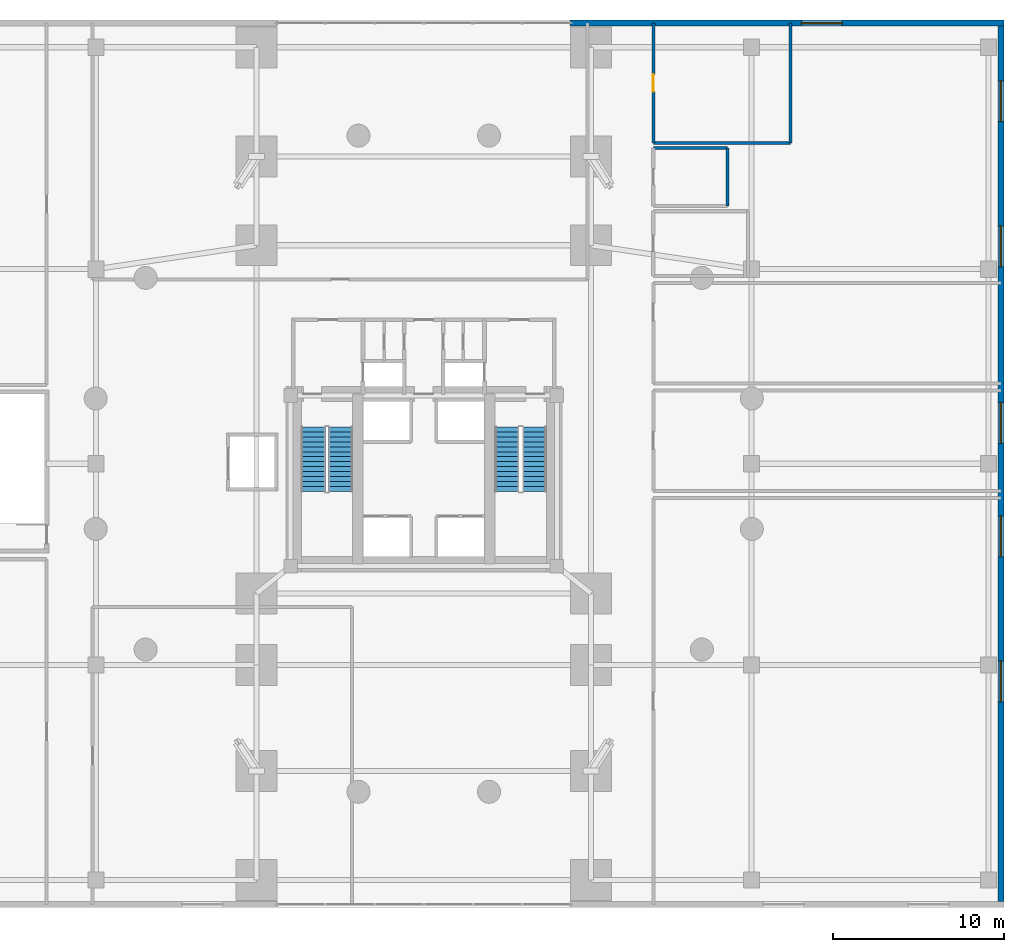
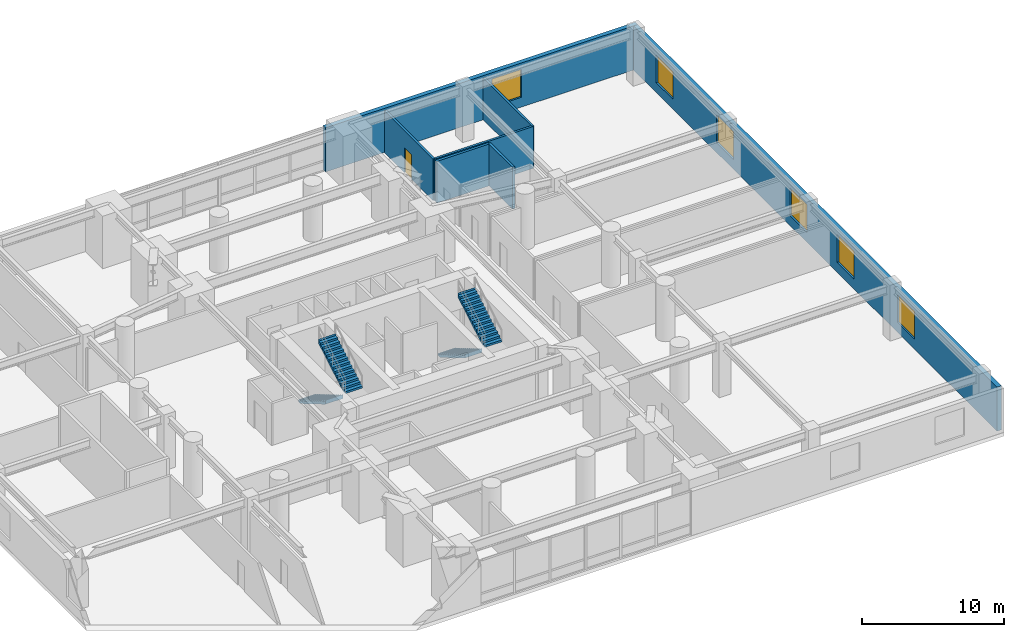
# One storey, part 16 of 17: 7 walls, 6 windows, 4 stair flights, 1 door, 7 openings, 2 elements without a shape of their own.
"""IFC4 building model written with IfcOpenShell, lengths in metres."""

from ifc_helpers import new_model, si_unit, direction, frame, frame_2d, origin, place, context, subcontext, project, spatial, polyline, rectangle, outline, extrude, material, layer, layer_set, type_object, element, fill, aggregate, save


model = new_model("IFC4")

# Units and contexts
model_context = context("Model", 3, precision=1e-05, world=origin(), true_north=direction((0.0, 1.0)))
body_context = subcontext(model_context, "Body", "Model", "MODEL_VIEW")
ifc_project = project(units=[si_unit("LENGTHUNIT", "METRE"), si_unit("AREAUNIT", "SQUARE_METRE"), si_unit("VOLUMEUNIT", "CUBIC_METRE"), si_unit("PLANEANGLEUNIT", "RADIAN"), si_unit("MASSUNIT", "GRAM", prefix="KILO"), si_unit("THERMODYNAMICTEMPERATUREUNIT", "KELVIN"), si_unit("POWERUNIT", "WATT")], contexts=[model_context])

# Site, building, storey
site_placement = place(None, origin())
site = spatial("IfcSite", under=ifc_project, at=site_placement, CompositionType="ELEMENT")
building_placement = place(site_placement, origin())
building = spatial("IfcBuilding", under=site, at=building_placement, Name="Ocrelia Relay Tower", CompositionType="ELEMENT")
storey_placement = place(building_placement, frame((0.0, 0.0, 25.199951171875)))
storey = spatial("IfcBuildingStorey", under=building, at=storey_placement, Name="L05", CompositionType="ELEMENT", Elevation=25.199951171875)

# Wall, opening, door
ifc_material_1 = material(Name="Gypsum Fireboard Partition EI60", Category="gypsum")
ifc_layer_1 = layer(ifc_material_1, 0.179931640625, Name="Gypsum Fireboard Partition EI60")
ifc_layer_set_1 = layer_set([ifc_layer_1], Name="Gypsum Fireboard Partition EI60")
wall_type_1 = type_object("IfcWallType", Name="W-CORR-EI60-180", PredefinedType="PARTITIONING", material=ifc_layer_set_1)
wall_1_placement = place(storey_placement, frame((47.449951171875, 51.820068359375, 0.0), z_axis=(0.0, 0.0, 1.0), x_axis=(0.0, -1.0, 0.0)))
wall_1 = element("IfcWall", 1, at=wall_1_placement, inside=storey, type_object=wall_type_1, Name="L05 Client Break Study W Partition", PredefinedType="PARTITIONING", context=body_context, shape_type="SweptSolid", body=[
    extrude(rectangle(XDim=7.02001953125, YDim=0.179931640625, at=frame_2d((3.510009765625, 0.0))), origin(), (0.0, 0.0, 1.0), 3.60009765625),
])
opening_1_placement = place(wall_1_placement, frame((3.010009765625, 0.0, 0.0)))
opening_1 = element("IfcOpeningElement", 2, at=opening_1_placement, cuts=wall_1, Name="Opening D-RM100", PredefinedType="OPENING", context=body_context, shape_type="SweptSolid", body=[
    extrude(rectangle(XDim=1.0, YDim=2.14990234375, at=frame_2d((0.5, 1.074951171875))), frame((0.0, 0.10009765625, 0.0), z_axis=(0.0, -1.0, 0.0), x_axis=(1.0, 0.0, 0.0)), (0.0, 0.0, 1.0), 0.199951171875),
])
ifc_material_2 = material(Name="Acoustic oak veneer fire door", Category="wood")
door_type = type_object("IfcDoorType", Name="DR-ROOM-FD60-1000", OperationType="NOTDEFINED", PredefinedType="DOOR", material=ifc_material_2)
door_placement = place(opening_1_placement, origin())
door = element("IfcDoor", 3, at=door_placement, inside=storey, type_object=door_type, Name="L05 Client Break Study Door", OperationType="SINGLE_SWING_LEFT", OverallHeight=2.14990234375, OverallWidth=1.0, PredefinedType="DOOR", context=body_context, shape_type="SweptSolid", body=[
    extrude(rectangle(XDim=1.0, YDim=2.14990234375, at=frame_2d((0.5, 1.074951171875))), frame((0.0, 0.02490234375, 0.0), z_axis=(0.0, -1.0, 0.0), x_axis=(1.0, 0.0, 0.0)), (0.0, 0.0, 1.0), 0.050048828125),
])
fill(opening_1, door)

# Walls
wall_2_placement = place(storey_placement, frame((47.449951171875, 44.800048828125, 0.0), z_axis=(0.0, 0.0, 1.0), x_axis=(1.0, 0.0, 0.0)))
element("IfcWall", 4, at=wall_2_placement, inside=storey, type_object=wall_type_1, Name="L05 Client Break Study S Partition", PredefinedType="PARTITIONING", context=body_context, shape_type="SweptSolid", body=[
    extrude(rectangle(XDim=8.050048828125, YDim=0.179931640625, at=frame_2d((4.02490234375, 0.0))), origin(), (0.0, 0.0, 1.0), 3.60009765625),
])
wall_3_placement = place(storey_placement, frame((55.5, 44.800048828125, 0.0), z_axis=(0.0, 0.0, 1.0), x_axis=(0.0, 1.0, 0.0)))
element("IfcWall", 5, at=wall_3_placement, inside=storey, type_object=wall_type_1, Name="L05 Client Break Study E Partition", PredefinedType="PARTITIONING", context=body_context, shape_type="SweptSolid", body=[
    extrude(rectangle(XDim=7.02001953125, YDim=0.179931640625, at=frame_2d((3.510009765625, 0.0))), origin(), (0.0, 0.0, 1.0), 3.60009765625),
])

# Wall, openings, windows
ifc_material_3 = material(Name="Precast concrete C40/50 with oxide terracotta", Category="masonry")
ifc_layer_2 = layer(ifc_material_3, 0.35009765625, Name="Precast concrete C40/50 with oxide terracotta")
ifc_layer_set_2 = layer_set([ifc_layer_2], Name="Precast concrete C40/50 with oxide terracotta")
wall_type_2 = type_object("IfcWallType", Name="W-EXT-POD-350", PredefinedType="SOLIDWALL", material=ifc_layer_set_2)
wall_4_placement = place(storey_placement, frame((67.820068359375, 51.639892578125, 0.0), z_axis=(0.0, 0.0, 1.0), x_axis=(0.0, -1.0, 0.0)))
wall_4 = element("IfcWall", 6, at=wall_4_placement, inside=storey, type_object=wall_type_2, Name="L05 Oxide Terracotta Podium Wall EE", PredefinedType="SOLIDWALL", context=body_context, shape_type="SweptSolid", body=[
    extrude(rectangle(XDim=51.27978515625, YDim=0.35009765625, at=frame_2d((25.639892578125, 0.0))), origin(), (0.0, 0.0, 1.0), 3.800048828125),
])
opening_2_placement = place(wall_4_placement, frame((3.199951171875, 0.0, 0.85009765625)))
opening_2 = element("IfcOpeningElement", 7, at=opening_2_placement, cuts=wall_4, Name="Opening W-01", PredefinedType="OPENING", context=body_context, shape_type="SweptSolid", body=[
    extrude(rectangle(XDim=2.39990234375, YDim=2.39990234375, at=frame_2d((1.199951171875, 1.199951171875))), frame((0.0, 0.18505859375, 0.0), z_axis=(0.0, -1.0, 0.0), x_axis=(1.0, 0.0, 0.0)), (0.0, 0.0, 1.0), 0.3701171875),
])
opening_3_placement = place(wall_4_placement, frame((11.699951171875, 0.0, 0.85009765625)))
opening_3 = element("IfcOpeningElement", 8, at=opening_3_placement, cuts=wall_4, Name="Opening W-01", PredefinedType="OPENING", context=body_context, shape_type="SweptSolid", body=[
    extrude(rectangle(XDim=2.39990234375, YDim=2.39990234375, at=frame_2d((1.199951171875, 1.199951171875))), frame((0.0, 0.18505859375, 0.0), z_axis=(0.0, -1.0, 0.0), x_axis=(1.0, 0.0, 0.0)), (0.0, 0.0, 1.0), 0.3701171875),
])
opening_4_placement = place(wall_4_placement, frame((22.050048828125, 0.0, 0.85009765625)))
opening_4 = element("IfcOpeningElement", 9, at=opening_4_placement, cuts=wall_4, Name="Opening W-01", PredefinedType="OPENING", context=body_context, shape_type="SweptSolid", body=[
    extrude(rectangle(XDim=2.39990234375, YDim=2.39990234375, at=frame_2d((1.199951171875, 1.199951171875))), frame((0.0, 0.18505859375, 0.0), z_axis=(0.0, -1.0, 0.0), x_axis=(1.0, 0.0, 0.0)), (0.0, 0.0, 1.0), 0.3701171875),
])
opening_5_placement = place(wall_4_placement, frame((28.699951171875, 0.0, 0.85009765625)))
opening_5 = element("IfcOpeningElement", 10, at=opening_5_placement, cuts=wall_4, Name="Opening W-01", PredefinedType="OPENING", context=body_context, shape_type="SweptSolid", body=[
    extrude(rectangle(XDim=2.39990234375, YDim=2.39990234375, at=frame_2d((1.199951171875, 1.199951171875))), frame((0.0, 0.18505859375, 0.0), z_axis=(0.0, -1.0, 0.0), x_axis=(1.0, 0.0, 0.0)), (0.0, 0.0, 1.0), 0.3701171875),
])
opening_6_placement = place(wall_4_placement, frame((37.199951171875, 0.0, 0.85009765625)))
opening_6 = element("IfcOpeningElement", 11, at=opening_6_placement, cuts=wall_4, Name="Opening W-01", PredefinedType="OPENING", context=body_context, shape_type="SweptSolid", body=[
    extrude(rectangle(XDim=2.39990234375, YDim=2.39990234375, at=frame_2d((1.199951171875, 1.199951171875))), frame((0.0, 0.18505859375, 0.0), z_axis=(0.0, -1.0, 0.0), x_axis=(1.0, 0.0, 0.0)), (0.0, 0.0, 1.0), 0.3701171875),
])
ifc_material_4 = material(Name="Clear double-glazed low-E glass", Category="glass")
window_type = type_object("IfcWindowType", Name="WIN-POD-2400x2600", PartitioningType="SINGLE_PANEL", PredefinedType="WINDOW", material=ifc_material_4)
window_1_placement = place(opening_2_placement, origin())
window_1 = element("IfcWindow", 12, at=window_1_placement, inside=storey, type_object=window_type, Name="L05 Podium Punched Window EE-1", OverallHeight=2.39990234375, OverallWidth=2.39990234375, PartitioningType="SINGLE_PANEL", PredefinedType="WINDOW", context=body_context, shape_type="SweptSolid", body=[
    extrude(rectangle(XDim=2.39990234375, YDim=2.39990234375, at=frame_2d((1.199951171875, 1.199951171875))), frame((0.0, 0.030029296875, 0.0), z_axis=(0.0, -1.0, 0.0), x_axis=(1.0, 0.0, 0.0)), (0.0, 0.0, 1.0), 0.06005859375),
])
fill(opening_2, window_1)
window_2_placement = place(opening_3_placement, origin())
window_2 = element("IfcWindow", 13, at=window_2_placement, inside=storey, type_object=window_type, Name="L05 Podium Punched Window EE-2", OverallHeight=2.39990234375, OverallWidth=2.39990234375, PartitioningType="SINGLE_PANEL", PredefinedType="WINDOW", context=body_context, shape_type="SweptSolid", body=[
    extrude(rectangle(XDim=2.39990234375, YDim=2.39990234375, at=frame_2d((1.199951171875, 1.199951171875))), frame((0.0, 0.030029296875, 0.0), z_axis=(0.0, -1.0, 0.0), x_axis=(1.0, 0.0, 0.0)), (0.0, 0.0, 1.0), 0.06005859375),
])
fill(opening_3, window_2)
window_3_placement = place(opening_4_placement, origin())
window_3 = element("IfcWindow", 14, at=window_3_placement, inside=storey, type_object=window_type, Name="L05 Podium Punched Window EE-3", OverallHeight=2.39990234375, OverallWidth=2.39990234375, PartitioningType="SINGLE_PANEL", PredefinedType="WINDOW", context=body_context, shape_type="SweptSolid", body=[
    extrude(rectangle(XDim=2.39990234375, YDim=2.39990234375, at=frame_2d((1.199951171875, 1.199951171875))), frame((0.0, 0.030029296875, 0.0), z_axis=(0.0, -1.0, 0.0), x_axis=(1.0, 0.0, 0.0)), (0.0, 0.0, 1.0), 0.06005859375),
])
fill(opening_4, window_3)
window_4_placement = place(opening_5_placement, origin())
window_4 = element("IfcWindow", 15, at=window_4_placement, inside=storey, type_object=window_type, Name="L05 Podium Punched Window EE-4", OverallHeight=2.39990234375, OverallWidth=2.39990234375, PartitioningType="SINGLE_PANEL", PredefinedType="WINDOW", context=body_context, shape_type="SweptSolid", body=[
    extrude(rectangle(XDim=2.39990234375, YDim=2.39990234375, at=frame_2d((1.199951171875, 1.199951171875))), frame((0.0, 0.030029296875, 0.0), z_axis=(0.0, -1.0, 0.0), x_axis=(1.0, 0.0, 0.0)), (0.0, 0.0, 1.0), 0.06005859375),
])
fill(opening_5, window_4)
window_5_placement = place(opening_6_placement, origin())
window_5 = element("IfcWindow", 16, at=window_5_placement, inside=storey, type_object=window_type, Name="L05 Podium Punched Window EE-5", OverallHeight=2.39990234375, OverallWidth=2.39990234375, PartitioningType="SINGLE_PANEL", PredefinedType="WINDOW", context=body_context, shape_type="SweptSolid", body=[
    extrude(rectangle(XDim=2.39990234375, YDim=2.39990234375, at=frame_2d((1.199951171875, 1.199951171875))), frame((0.0, 0.030029296875, 0.0), z_axis=(0.0, -1.0, 0.0), x_axis=(1.0, 0.0, 0.0)), (0.0, 0.0, 1.0), 0.06005859375),
])
fill(opening_6, window_5)

# Wall, opening, window
wall_5_placement = place(storey_placement, frame((42.570068359375, 51.820068359375, 0.0), z_axis=(0.0, 0.0, 1.0), x_axis=(1.0, 0.0, 0.0)))
wall_5 = element("IfcWall", 17, at=wall_5_placement, inside=storey, type_object=wall_type_2, Name="L05 Oxide Terracotta Podium Wall EN", PredefinedType="SOLIDWALL", context=body_context, shape_type="SweptSolid", body=[
    extrude(rectangle(XDim=25.419921875, YDim=0.35009765625, at=frame_2d((12.7099609375, 0.0))), origin(), (0.0, 0.0, 1.0), 3.800048828125),
])
opening_7_placement = place(wall_5_placement, frame((13.550048828125, 0.0, 0.85009765625)))
opening_7 = element("IfcOpeningElement", 18, at=opening_7_placement, cuts=wall_5, Name="Opening W-01", PredefinedType="OPENING", context=body_context, shape_type="SweptSolid", body=[
    extrude(rectangle(XDim=2.39990234375, YDim=2.39990234375, at=frame_2d((1.199951171875, 1.199951171875))), frame((0.0, 0.18505859375, 0.0), z_axis=(0.0, -1.0, 0.0), x_axis=(1.0, 0.0, 0.0)), (0.0, 0.0, 1.0), 0.3701171875),
])
window_6_placement = place(opening_7_placement, origin())
window_6 = element("IfcWindow", 19, at=window_6_placement, inside=storey, type_object=window_type, Name="L05 Podium Punched Window EN-2", OverallHeight=2.39990234375, OverallWidth=2.39990234375, PartitioningType="SINGLE_PANEL", PredefinedType="WINDOW", context=body_context, shape_type="SweptSolid", body=[
    extrude(rectangle(XDim=2.39990234375, YDim=2.39990234375, at=frame_2d((1.199951171875, 1.199951171875))), frame((0.0, 0.030029296875, 0.0), z_axis=(0.0, -1.0, 0.0), x_axis=(1.0, 0.0, 0.0)), (0.0, 0.0, 1.0), 0.06005859375),
])
fill(opening_7, window_6)

# Walls
ifc_material_5 = material(Name="Moisture-Resistant Fireboard Chase Wall EI60", Category="gypsum")
ifc_layer_3 = layer(ifc_material_5, 0.199951171875, Name="Moisture-Resistant Fireboard Chase Wall EI60")
ifc_layer_set_3 = layer_set([ifc_layer_3], Name="Moisture-Resistant Fireboard Chase Wall EI60")
wall_type_3 = type_object("IfcWallType", Name="W-PLUMB-200", PredefinedType="PLUMBINGWALL", material=ifc_layer_set_3)
wall_6_placement = place(storey_placement, frame((51.800048828125, 41.10009765625, 0.0), z_axis=(0.0, 0.0, 1.0), x_axis=(0.0, 1.0, 0.0)))
element("IfcWall", 20, at=wall_6_placement, inside=storey, type_object=wall_type_3, Name="L05 Accessible Toilet E Partition", PredefinedType="PLUMBINGWALL", context=body_context, shape_type="SweptSolid", body=[
    extrude(rectangle(XDim=3.39990234375, YDim=0.199951171875, at=frame_2d((1.699951171875, 0.0))), origin(), (0.0, 0.0, 1.0), 3.60009765625),
])
wall_7_placement = place(storey_placement, frame((51.800048828125, 44.5, 0.0), z_axis=(0.0, 0.0, 1.0), x_axis=(-1.0, 0.0, 0.0)))
element("IfcWall", 21, at=wall_7_placement, inside=storey, type_object=wall_type_3, Name="L05 Accessible Toilet N Partition", PredefinedType="PLUMBINGWALL", context=body_context, shape_type="SweptSolid", body=[
    extrude(rectangle(XDim=4.35009765625, YDim=0.199951171875, at=frame_2d((2.175048828125, 0.0))), origin(), (0.0, 0.0, 1.0), 3.60009765625),
])

# Stair, stair flights
ifc_material_6 = material(Name="Concrete C50/60", Category="concrete")
stair_type = type_object("IfcStairType", Name="ST-DL-1420-R171", PredefinedType="HALF_TURN_STAIR", material=ifc_material_6)
stair_1_placement = place(storey_placement, origin())
stair_1 = element("IfcStair", 22, at=stair_1_placement, inside=storey, type_object=stair_type, Name="L05 West Core Exit Stair ST1", PredefinedType="HALF_TURN_STAIR")
stair_flight_type = type_object("IfcStairFlightType", Name="STF-DL-1420-R171", PredefinedType="STRAIGHT", material=ifc_material_6)
stair_flight_1_placement = place(storey_placement, frame((27.52001953125, 28.14990234375, 0.0), z_axis=(0.0, 0.0, 1.0), x_axis=(0.0, -1.0, 0.0)))
stair_flight_1 = element("IfcStairFlight", 23, at=stair_flight_1_placement, type_object=stair_flight_type, Name="ST1 flight 1", NumberOfRisers=14, NumberOfTreads=13, PredefinedType="STRAIGHT", RiserHeight=0.171428571, TreadLength=0.29, context=body_context, shape_type="SweptSolid", body=[
    extrude(outline(polyline([(-0.008056640625, 0.0), (-0.008056640625, 0.17138671875), (0.0, 0.17138671875), (0.2900390625, 0.17138671875), (0.2900390625, 0.3427734375), (0.580078125, 0.3427734375), (0.580078125, 0.514404296875), (0.8701171875, 0.514404296875), (0.8701171875, 0.685791015625), (1.159912109375, 0.685791015625), (1.159912109375, 0.857177734375), (1.449951171875, 0.857177734375), (1.449951171875, 1.028564453125), (1.739990234375, 1.028564453125), (1.739990234375, 1.199951171875), (2.030029296875, 1.199951171875), (2.030029296875, 1.371337890625), (2.320068359375, 1.371337890625), (2.320068359375, 1.54296875), (2.610107421875, 1.54296875), (2.610107421875, 1.71435546875), (2.89990234375, 1.71435546875), (2.89990234375, 1.8857421875), (3.18994140625, 1.8857421875), (3.18994140625, 2.05712890625), (3.47998046875, 2.05712890625), (3.47998046875, 2.228515625), (3.77001953125, 2.228515625), (3.77001953125, 2.39990234375), (3.778076171875, 2.39990234375), (3.778076171875, 2.054443359375), (0.294677734375, 0.0), (-0.008056640625, 0.0)])), frame((0.0, 0.7099609375, 0.0), z_axis=(0.0, -1.0, 0.0), x_axis=(1.0, 0.0, 0.0)), (0.0, 0.0, 1.0), 1.419921875),
])
stair_flight_2_placement = place(storey_placement, frame((29.139892578125, 24.3798828125, 2.400146484375), z_axis=(0.0, 0.0, 1.0), x_axis=(0.0, 1.0, 0.0)))
stair_flight_2 = element("IfcStairFlight", 24, at=stair_flight_2_placement, type_object=stair_flight_type, Name="ST1 flight 2", NumberOfRisers=14, NumberOfTreads=13, PredefinedType="STRAIGHT", RiserHeight=0.171428571, TreadLength=0.29, context=body_context, shape_type="SweptSolid", body=[
    extrude(outline(polyline([(-0.008056640625, 0.0), (-0.008056640625, 0.17138671875), (0.0, 0.17138671875), (0.2900390625, 0.17138671875), (0.2900390625, 0.3427734375), (0.580078125, 0.3427734375), (0.580078125, 0.514404296875), (0.8701171875, 0.514404296875), (0.8701171875, 0.685791015625), (1.159912109375, 0.685791015625), (1.159912109375, 0.857177734375), (1.449951171875, 0.857177734375), (1.449951171875, 1.028564453125), (1.739990234375, 1.028564453125), (1.739990234375, 1.199951171875), (2.030029296875, 1.199951171875), (2.030029296875, 1.371337890625), (2.320068359375, 1.371337890625), (2.320068359375, 1.54296875), (2.610107421875, 1.54296875), (2.610107421875, 1.71435546875), (2.89990234375, 1.71435546875), (2.89990234375, 1.8857421875), (3.18994140625, 1.8857421875), (3.18994140625, 2.05712890625), (3.47998046875, 2.05712890625), (3.47998046875, 2.228515625), (3.77001953125, 2.228515625), (3.77001953125, 2.39990234375), (3.778076171875, 2.39990234375), (3.778076171875, 2.054443359375), (0.294677734375, 0.0), (-0.008056640625, 0.0)])), frame((0.0, 0.7099609375, 0.0), z_axis=(0.0, -1.0, 0.0), x_axis=(1.0, 0.0, 0.0)), (0.0, 0.0, 1.0), 1.419921875),
])
aggregate(stair_1, [stair_flight_1, stair_flight_2])

stair_2_placement = place(storey_placement, origin())
stair_2 = element("IfcStair", 25, at=stair_2_placement, inside=storey, type_object=stair_type, Name="L05 East Core Exit Stair ST2", PredefinedType="HALF_TURN_STAIR")
stair_flight_3_placement = place(storey_placement, frame((38.8701171875, 28.14990234375, 0.0), z_axis=(0.0, 0.0, 1.0), x_axis=(0.0, -1.0, 0.0)))
stair_flight_3 = element("IfcStairFlight", 26, at=stair_flight_3_placement, type_object=stair_flight_type, Name="ST2 flight 1", NumberOfRisers=14, NumberOfTreads=13, PredefinedType="STRAIGHT", RiserHeight=0.171428571, TreadLength=0.29, context=body_context, shape_type="SweptSolid", body=[
    extrude(outline(polyline([(-0.008056640625, 0.0), (-0.008056640625, 0.17138671875), (0.0, 0.17138671875), (0.2900390625, 0.17138671875), (0.2900390625, 0.3427734375), (0.580078125, 0.3427734375), (0.580078125, 0.514404296875), (0.8701171875, 0.514404296875), (0.8701171875, 0.685791015625), (1.159912109375, 0.685791015625), (1.159912109375, 0.857177734375), (1.449951171875, 0.857177734375), (1.449951171875, 1.028564453125), (1.739990234375, 1.028564453125), (1.739990234375, 1.199951171875), (2.030029296875, 1.199951171875), (2.030029296875, 1.371337890625), (2.320068359375, 1.371337890625), (2.320068359375, 1.54296875), (2.610107421875, 1.54296875), (2.610107421875, 1.71435546875), (2.89990234375, 1.71435546875), (2.89990234375, 1.8857421875), (3.18994140625, 1.8857421875), (3.18994140625, 2.05712890625), (3.47998046875, 2.05712890625), (3.47998046875, 2.228515625), (3.77001953125, 2.228515625), (3.77001953125, 2.39990234375), (3.778076171875, 2.39990234375), (3.778076171875, 2.054443359375), (0.294677734375, 0.0), (-0.008056640625, 0.0)])), frame((0.0, 0.7099609375, 0.0), z_axis=(0.0, -1.0, 0.0), x_axis=(1.0, 0.0, 0.0)), (0.0, 0.0, 1.0), 1.419921875),
])
stair_flight_4_placement = place(storey_placement, frame((40.489990234375, 24.3798828125, 2.400146484375), z_axis=(0.0, 0.0, 1.0), x_axis=(0.0, 1.0, 0.0)))
stair_flight_4 = element("IfcStairFlight", 27, at=stair_flight_4_placement, type_object=stair_flight_type, Name="ST2 flight 2", NumberOfRisers=14, NumberOfTreads=13, PredefinedType="STRAIGHT", RiserHeight=0.171428571, TreadLength=0.29, context=body_context, shape_type="SweptSolid", body=[
    extrude(outline(polyline([(-0.008056640625, 0.0), (-0.008056640625, 0.17138671875), (0.0, 0.17138671875), (0.2900390625, 0.17138671875), (0.2900390625, 0.3427734375), (0.580078125, 0.3427734375), (0.580078125, 0.514404296875), (0.8701171875, 0.514404296875), (0.8701171875, 0.685791015625), (1.159912109375, 0.685791015625), (1.159912109375, 0.857177734375), (1.449951171875, 0.857177734375), (1.449951171875, 1.028564453125), (1.739990234375, 1.028564453125), (1.739990234375, 1.199951171875), (2.030029296875, 1.199951171875), (2.030029296875, 1.371337890625), (2.320068359375, 1.371337890625), (2.320068359375, 1.54296875), (2.610107421875, 1.54296875), (2.610107421875, 1.71435546875), (2.89990234375, 1.71435546875), (2.89990234375, 1.8857421875), (3.18994140625, 1.8857421875), (3.18994140625, 2.05712890625), (3.47998046875, 2.05712890625), (3.47998046875, 2.228515625), (3.77001953125, 2.228515625), (3.77001953125, 2.39990234375), (3.778076171875, 2.39990234375), (3.778076171875, 2.054443359375), (0.294677734375, 0.0), (-0.008056640625, 0.0)])), frame((0.0, 0.7099609375, 0.0), z_axis=(0.0, -1.0, 0.0), x_axis=(1.0, 0.0, 0.0)), (0.0, 0.0, 1.0), 1.419921875),
])
aggregate(stair_2, [stair_flight_3, stair_flight_4])

save(model, "model.ifc")
